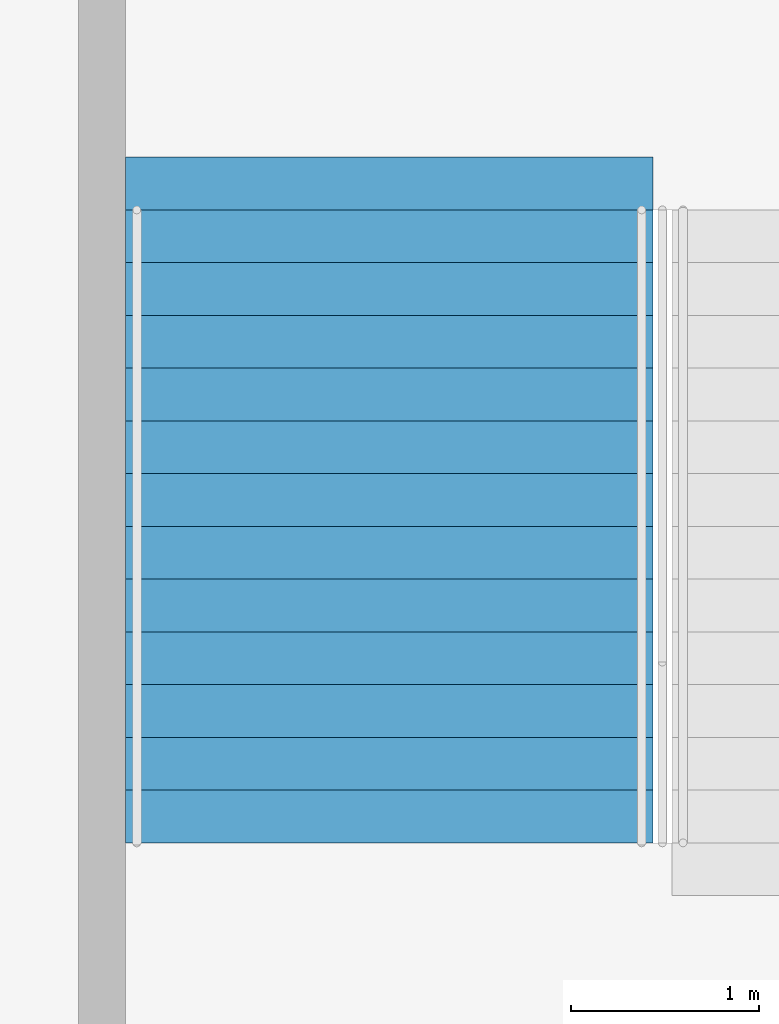
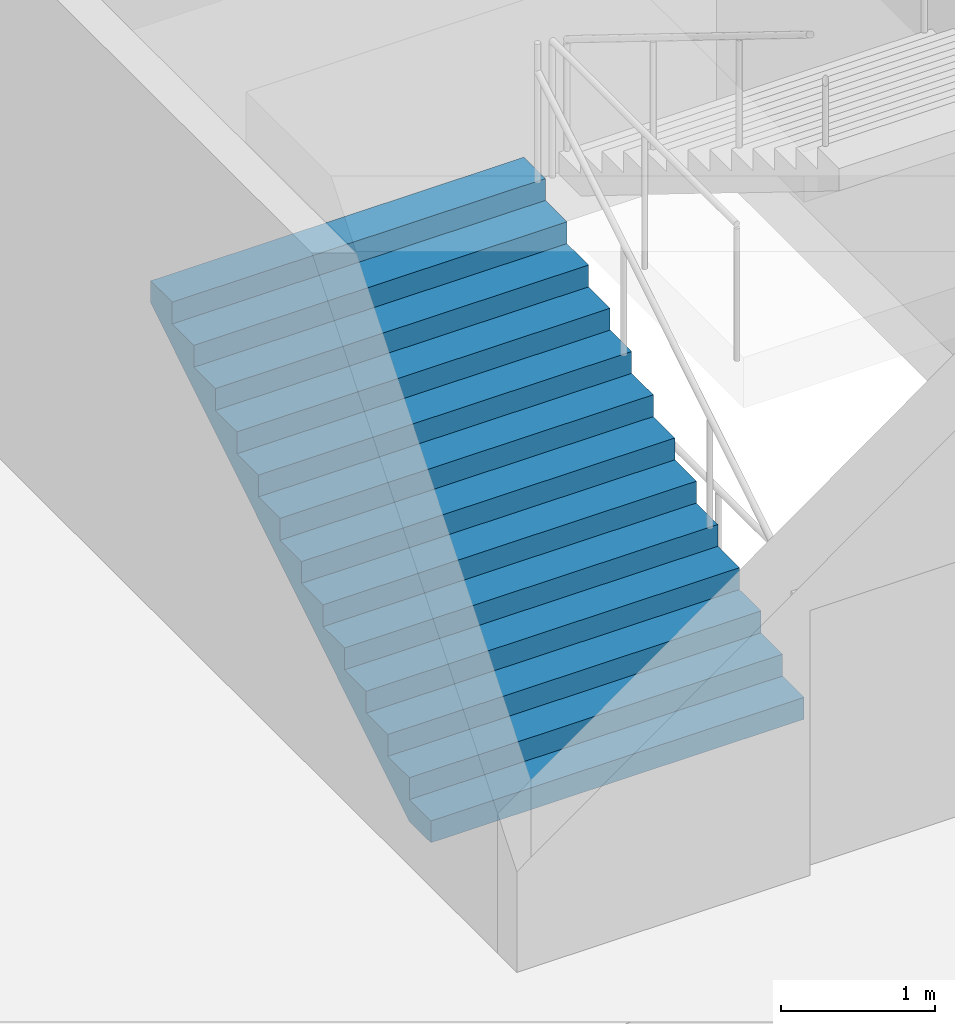
# One storey, part 215 of 249: 1 stair flight, 1 element without a shape of its own.
"""IFC4 building model written with IfcOpenShell, lengths in metres."""

from ifc_helpers import new_model, si_unit, direction, frame, origin, place, context, subcontext, project, spatial, faceted_brep, material, type_object, element, aggregate, save


model = new_model("IFC4")

# Units and contexts
model_context = context("Model", 3, precision=1e-05, world=origin(), true_north=direction((0.0, 1.0)))
body_context = subcontext(model_context, "Body", "Model", "MODEL_VIEW")
ifc_project = project(units=[si_unit("LENGTHUNIT", "METRE"), si_unit("AREAUNIT", "SQUARE_METRE"), si_unit("VOLUMEUNIT", "CUBIC_METRE"), si_unit("PLANEANGLEUNIT", "RADIAN"), si_unit("MASSUNIT", "GRAM", prefix="KILO")], contexts=[model_context])

# Site, building, storey
site_placement = place(None, origin())
site = spatial("IfcSite", under=ifc_project, at=site_placement, CompositionType="ELEMENT")
building_placement = place(site_placement, origin())
building = spatial("IfcBuilding", under=site, at=building_placement, Name="Ogive Plaza Stadium", CompositionType="ELEMENT")
storey_placement = place(building_placement, frame((0.0, 0.0, 13.5)))
storey = spatial("IfcBuildingStorey", under=building, at=storey_placement, Name="L03", CompositionType="ELEMENT", Elevation=13.5)

# Stair, stair flight
ifc_material_1 = material(Name="Concrete C40/50", Category="concrete")
stair_type = type_object("IfcStairType", Name="Exit stair", PredefinedType="STRAIGHT_RUN_STAIR", material=ifc_material_1)
stair_placement = place(storey_placement, origin())
stair = element("IfcStair", 1, at=stair_placement, inside=storey, type_object=stair_type, Name="Exit stair ST36B L03 to L04", PredefinedType="STRAIGHT_RUN_STAIR")
ifc_material_2 = material(Name="Concrete C40/50", Category="concrete")
stair_flight_type = type_object("IfcStairFlightType", Name="Exit stair flight", PredefinedType="STRAIGHT", material=ifc_material_2)
stair_flight_placement = place(storey_placement, frame((15.97509765625, 94.85009765625, 0.0), z_axis=(0.0, 0.0, 1.0), x_axis=(0.0, 1.0, 0.0)))
stair_flight = element("IfcStairFlight", 2, at=stair_flight_placement, type_object=stair_flight_type, Name="ST36B flight 1", NumberOfRisers=13, NumberOfTreads=12, PredefinedType="STRAIGHT", RiserHeight=0.173076923, TreadLength=0.28, context=body_context, shape_type="Brep", body=[
    faceted_brep([(0.28515625, -1.39990234375, 0.0), (3.639892578125, -1.39990234375, 2.07373046875), (3.639892578125, -1.39990234375, 2.25), (3.360107421875, -1.39990234375, 2.25), (3.360107421875, -1.39990234375, 2.076904296875), (3.080078125, -1.39990234375, 2.076904296875), (3.080078125, -1.39990234375, 1.90380859375), (2.800048828125, -1.39990234375, 1.90380859375), (2.800048828125, -1.39990234375, 1.730712890625), (2.52001953125, -1.39990234375, 1.730712890625), (2.52001953125, -1.39990234375, 1.5576171875), (2.239990234375, -1.39990234375, 1.5576171875), (2.239990234375, -1.39990234375, 1.384521484375), (1.9599609375, -1.39990234375, 1.384521484375), (1.9599609375, -1.39990234375, 1.21142578125), (1.679931640625, -1.39990234375, 1.21142578125), (1.679931640625, -1.39990234375, 1.03857421875), (1.39990234375, -1.39990234375, 1.03857421875), (1.39990234375, -1.39990234375, 0.865478515625), (1.1201171875, -1.39990234375, 0.865478515625), (1.1201171875, -1.39990234375, 0.6923828125), (0.840087890625, -1.39990234375, 0.6923828125), (0.840087890625, -1.39990234375, 0.519287109375), (0.56005859375, -1.39990234375, 0.519287109375), (0.56005859375, -1.39990234375, 0.34619140625), (0.280029296875, -1.39990234375, 0.34619140625), (0.280029296875, -1.39990234375, 0.173095703125), (0.0, -1.39990234375, 0.173095703125), (0.0, -1.39990234375, 0.0), (0.0, 1.39990234375, 0.0), (0.0, 1.39990234375, 0.173095703125), (0.280029296875, 1.39990234375, 0.173095703125), (0.280029296875, 1.39990234375, 0.34619140625), (0.56005859375, 1.39990234375, 0.34619140625), (0.56005859375, 1.39990234375, 0.519287109375), (0.840087890625, 1.39990234375, 0.519287109375), (0.840087890625, 1.39990234375, 0.6923828125), (1.1201171875, 1.39990234375, 0.6923828125), (1.1201171875, 1.39990234375, 0.865478515625), (1.39990234375, 1.39990234375, 0.865478515625), (1.39990234375, 1.39990234375, 1.03857421875), (1.679931640625, 1.39990234375, 1.03857421875), (1.679931640625, 1.39990234375, 1.21142578125), (1.9599609375, 1.39990234375, 1.21142578125), (1.9599609375, 1.39990234375, 1.384521484375), (2.239990234375, 1.39990234375, 1.384521484375), (2.239990234375, 1.39990234375, 1.5576171875), (2.52001953125, 1.39990234375, 1.5576171875), (2.52001953125, 1.39990234375, 1.730712890625), (2.800048828125, 1.39990234375, 1.730712890625), (2.800048828125, 1.39990234375, 1.90380859375), (3.080078125, 1.39990234375, 1.90380859375), (3.080078125, 1.39990234375, 2.076904296875), (3.360107421875, 1.39990234375, 2.076904296875), (3.360107421875, 1.39990234375, 2.25), (3.639892578125, 1.39990234375, 2.25), (3.639892578125, 1.39990234375, 2.07373046875), (0.28515625, 1.39990234375, 0.0), (0.28515625, -1.0888671875, 0.0), (3.639892578125, -1.0888671875, 2.07373046875), (0.28515625, -0.77783203125, 0.0), (3.639892578125, -0.77783203125, 2.07373046875), (0.28515625, -0.466796875, 0.0), (3.639892578125, -0.466796875, 2.07373046875), (0.28515625, -0.155517578125, 0.0), (3.639892578125, -0.155517578125, 2.07373046875), (0.28515625, 0.155517578125, 0.0), (3.639892578125, 0.155517578125, 2.07373046875), (0.28515625, 0.466796875, 0.0), (3.639892578125, 0.466796875, 2.07373046875), (0.28515625, 0.77783203125, 0.0), (3.639892578125, 0.77783203125, 2.07373046875), (0.28515625, 1.0888671875, 0.0), (3.639892578125, 1.0888671875, 2.07373046875), (3.639892578125, -1.0888671875, 2.25), (3.639892578125, -0.77783203125, 2.25), (3.639892578125, -0.466796875, 2.25), (3.639892578125, -0.155517578125, 2.25), (3.639892578125, 0.155517578125, 2.25), (3.639892578125, 0.466796875, 2.25), (3.639892578125, 0.77783203125, 2.25), (3.639892578125, 1.0888671875, 2.25), (3.360107421875, -1.0888671875, 2.25), (3.360107421875, -0.77783203125, 2.25), (3.360107421875, -0.466796875, 2.25), (3.360107421875, -0.155517578125, 2.25), (3.360107421875, 0.155517578125, 2.25), (3.360107421875, 0.466796875, 2.25), (3.360107421875, 0.77783203125, 2.25), (3.360107421875, 1.0888671875, 2.25), (3.360107421875, -1.0888671875, 2.076904296875), (3.360107421875, -0.77783203125, 2.076904296875), (3.360107421875, -0.466796875, 2.076904296875), (3.360107421875, -0.155517578125, 2.076904296875), (3.360107421875, 0.155517578125, 2.076904296875), (3.360107421875, 0.466796875, 2.076904296875), (3.360107421875, 0.77783203125, 2.076904296875), (3.360107421875, 1.0888671875, 2.076904296875), (3.080078125, -1.0888671875, 2.076904296875), (3.080078125, -0.77783203125, 2.076904296875), (3.080078125, -0.466796875, 2.076904296875), (3.080078125, -0.155517578125, 2.076904296875), (3.080078125, 0.155517578125, 2.076904296875), (3.080078125, 0.466796875, 2.076904296875), (3.080078125, 0.77783203125, 2.076904296875), (3.080078125, 1.0888671875, 2.076904296875), (3.080078125, -1.0888671875, 1.90380859375), (3.080078125, -0.77783203125, 1.90380859375), (3.080078125, -0.466796875, 1.90380859375), (3.080078125, -0.155517578125, 1.90380859375), (3.080078125, 0.155517578125, 1.90380859375), (3.080078125, 0.466796875, 1.90380859375), (3.080078125, 0.77783203125, 1.90380859375), (3.080078125, 1.0888671875, 1.90380859375), (2.800048828125, -1.0888671875, 1.90380859375), (2.800048828125, -0.77783203125, 1.90380859375), (2.800048828125, -0.466796875, 1.90380859375), (2.800048828125, -0.155517578125, 1.90380859375), (2.800048828125, 0.155517578125, 1.90380859375), (2.800048828125, 0.466796875, 1.90380859375), (2.800048828125, 0.77783203125, 1.90380859375), (2.800048828125, 1.0888671875, 1.90380859375), (2.800048828125, -1.0888671875, 1.730712890625), (2.800048828125, -0.77783203125, 1.730712890625), (2.800048828125, -0.466796875, 1.730712890625), (2.800048828125, -0.155517578125, 1.730712890625), (2.800048828125, 0.155517578125, 1.730712890625), (2.800048828125, 0.466796875, 1.730712890625), (2.800048828125, 0.77783203125, 1.730712890625), (2.800048828125, 1.0888671875, 1.730712890625), (2.52001953125, -1.0888671875, 1.730712890625), (2.52001953125, -0.77783203125, 1.730712890625), (2.52001953125, -0.466796875, 1.730712890625), (2.52001953125, -0.155517578125, 1.730712890625), (2.52001953125, 0.155517578125, 1.730712890625), (2.52001953125, 0.466796875, 1.730712890625), (2.52001953125, 0.77783203125, 1.730712890625), (2.52001953125, 1.0888671875, 1.730712890625), (2.52001953125, -1.0888671875, 1.5576171875), (2.52001953125, -0.77783203125, 1.5576171875), (2.52001953125, -0.466796875, 1.5576171875), (2.52001953125, -0.155517578125, 1.5576171875), (2.52001953125, 0.155517578125, 1.5576171875), (2.52001953125, 0.466796875, 1.5576171875), (2.52001953125, 0.77783203125, 1.5576171875), (2.52001953125, 1.0888671875, 1.5576171875), (2.239990234375, -1.0888671875, 1.5576171875), (2.239990234375, -0.77783203125, 1.5576171875), (2.239990234375, -0.466796875, 1.5576171875), (2.239990234375, -0.155517578125, 1.5576171875), (2.239990234375, 0.155517578125, 1.5576171875), (2.239990234375, 0.466796875, 1.5576171875), (2.239990234375, 0.77783203125, 1.5576171875), (2.239990234375, 1.0888671875, 1.5576171875), (2.239990234375, -1.0888671875, 1.384521484375), (2.239990234375, -0.77783203125, 1.384521484375), (2.239990234375, -0.466796875, 1.384521484375), (2.239990234375, -0.155517578125, 1.384521484375), (2.239990234375, 0.155517578125, 1.384521484375), (2.239990234375, 0.466796875, 1.384521484375), (2.239990234375, 0.77783203125, 1.384521484375), (2.239990234375, 1.0888671875, 1.384521484375), (1.9599609375, -1.0888671875, 1.384521484375), (1.9599609375, -0.77783203125, 1.384521484375), (1.9599609375, -0.466796875, 1.384521484375), (1.9599609375, -0.155517578125, 1.384521484375), (1.9599609375, 0.155517578125, 1.384521484375), (1.9599609375, 0.466796875, 1.384521484375), (1.9599609375, 0.77783203125, 1.384521484375), (1.9599609375, 1.0888671875, 1.384521484375), (1.9599609375, -1.0888671875, 1.21142578125), (1.9599609375, -0.77783203125, 1.21142578125), (1.9599609375, -0.466796875, 1.21142578125), (1.9599609375, -0.155517578125, 1.21142578125), (1.9599609375, 0.155517578125, 1.21142578125), (1.9599609375, 0.466796875, 1.21142578125), (1.9599609375, 0.77783203125, 1.21142578125), (1.9599609375, 1.0888671875, 1.21142578125), (1.679931640625, -1.0888671875, 1.21142578125), (1.679931640625, -0.77783203125, 1.21142578125), (1.679931640625, -0.466796875, 1.21142578125), (1.679931640625, -0.155517578125, 1.21142578125), (1.679931640625, 0.155517578125, 1.21142578125), (1.679931640625, 0.466796875, 1.21142578125), (1.679931640625, 0.77783203125, 1.21142578125), (1.679931640625, 1.0888671875, 1.21142578125), (1.679931640625, -1.0888671875, 1.03857421875), (1.679931640625, -0.77783203125, 1.03857421875), (1.679931640625, -0.466796875, 1.03857421875), (1.679931640625, -0.155517578125, 1.03857421875), (1.679931640625, 0.155517578125, 1.03857421875), (1.679931640625, 0.466796875, 1.03857421875), (1.679931640625, 0.77783203125, 1.03857421875), (1.679931640625, 1.0888671875, 1.03857421875), (1.39990234375, -1.0888671875, 1.03857421875), (1.39990234375, -0.77783203125, 1.03857421875), (1.39990234375, -0.466796875, 1.03857421875), (1.39990234375, -0.155517578125, 1.03857421875), (1.39990234375, 0.155517578125, 1.03857421875), (1.39990234375, 0.466796875, 1.03857421875), (1.39990234375, 0.77783203125, 1.03857421875), (1.39990234375, 1.0888671875, 1.03857421875), (1.39990234375, -1.0888671875, 0.865478515625), (1.39990234375, -0.77783203125, 0.865478515625), (1.39990234375, -0.466796875, 0.865478515625), (1.39990234375, -0.155517578125, 0.865478515625), (1.39990234375, 0.155517578125, 0.865478515625), (1.39990234375, 0.466796875, 0.865478515625), (1.39990234375, 0.77783203125, 0.865478515625), (1.39990234375, 1.0888671875, 0.865478515625), (1.1201171875, -1.0888671875, 0.865478515625), (1.1201171875, -0.77783203125, 0.865478515625), (1.1201171875, -0.466796875, 0.865478515625), (1.1201171875, -0.155517578125, 0.865478515625), (1.1201171875, 0.155517578125, 0.865478515625), (1.1201171875, 0.466796875, 0.865478515625), (1.1201171875, 0.77783203125, 0.865478515625), (1.1201171875, 1.0888671875, 0.865478515625), (1.1201171875, -1.0888671875, 0.6923828125), (1.1201171875, -0.77783203125, 0.6923828125), (1.1201171875, -0.466796875, 0.6923828125), (1.1201171875, -0.155517578125, 0.6923828125), (1.1201171875, 0.155517578125, 0.6923828125), (1.1201171875, 0.466796875, 0.6923828125), (1.1201171875, 0.77783203125, 0.6923828125), (1.1201171875, 1.0888671875, 0.6923828125), (0.840087890625, -1.0888671875, 0.6923828125), (0.840087890625, -0.77783203125, 0.6923828125), (0.840087890625, -0.466796875, 0.6923828125), (0.840087890625, -0.155517578125, 0.6923828125), (0.840087890625, 0.155517578125, 0.6923828125), (0.840087890625, 0.466796875, 0.6923828125), (0.840087890625, 0.77783203125, 0.6923828125), (0.840087890625, 1.0888671875, 0.6923828125), (0.840087890625, -1.0888671875, 0.519287109375), (0.840087890625, -0.77783203125, 0.519287109375), (0.840087890625, -0.466796875, 0.519287109375), (0.840087890625, -0.155517578125, 0.519287109375), (0.840087890625, 0.155517578125, 0.519287109375), (0.840087890625, 0.466796875, 0.519287109375), (0.840087890625, 0.77783203125, 0.519287109375), (0.840087890625, 1.0888671875, 0.519287109375), (0.56005859375, -1.0888671875, 0.519287109375), (0.56005859375, -0.77783203125, 0.519287109375), (0.56005859375, -0.466796875, 0.519287109375), (0.56005859375, -0.155517578125, 0.519287109375), (0.56005859375, 0.155517578125, 0.519287109375), (0.56005859375, 0.466796875, 0.519287109375), (0.56005859375, 0.77783203125, 0.519287109375), (0.56005859375, 1.0888671875, 0.519287109375), (0.56005859375, -1.0888671875, 0.34619140625), (0.56005859375, -0.77783203125, 0.34619140625), (0.56005859375, -0.466796875, 0.34619140625), (0.56005859375, -0.155517578125, 0.34619140625), (0.56005859375, 0.155517578125, 0.34619140625), (0.56005859375, 0.466796875, 0.34619140625), (0.56005859375, 0.77783203125, 0.34619140625), (0.56005859375, 1.0888671875, 0.34619140625), (0.280029296875, -1.0888671875, 0.34619140625), (0.280029296875, -0.77783203125, 0.34619140625), (0.280029296875, -0.466796875, 0.34619140625), (0.280029296875, -0.155517578125, 0.34619140625), (0.280029296875, 0.155517578125, 0.34619140625), (0.280029296875, 0.466796875, 0.34619140625), (0.280029296875, 0.77783203125, 0.34619140625), (0.280029296875, 1.0888671875, 0.34619140625), (0.280029296875, -1.0888671875, 0.173095703125), (0.280029296875, -0.77783203125, 0.173095703125), (0.280029296875, -0.466796875, 0.173095703125), (0.280029296875, -0.155517578125, 0.173095703125), (0.280029296875, 0.155517578125, 0.173095703125), (0.280029296875, 0.466796875, 0.173095703125), (0.280029296875, 0.77783203125, 0.173095703125), (0.280029296875, 1.0888671875, 0.173095703125), (0.0, -1.0888671875, 0.173095703125), (0.0, -0.77783203125, 0.173095703125), (0.0, -0.466796875, 0.173095703125), (0.0, -0.155517578125, 0.173095703125), (0.0, 0.155517578125, 0.173095703125), (0.0, 0.466796875, 0.173095703125), (0.0, 0.77783203125, 0.173095703125), (0.0, 1.0888671875, 0.173095703125), (0.0, -1.0888671875, 0.0), (0.0, -0.77783203125, 0.0), (0.0, -0.466796875, 0.0), (0.0, -0.155517578125, 0.0), (0.0, 0.155517578125, 0.0), (0.0, 0.466796875, 0.0), (0.0, 0.77783203125, 0.0), (0.0, 1.0888671875, 0.0)], [[[0, 1, 2, 3, 4, 5, 6, 7, 8, 9, 10, 11, 12, 13, 14, 15, 16, 17, 18, 19, 20, 21, 22, 23, 24, 25, 26, 27, 28]], [[29, 30, 31, 32, 33, 34, 35, 36, 37, 38, 39, 40, 41, 42, 43, 44, 45, 46, 47, 48, 49, 50, 51, 52, 53, 54, 55, 56, 57]], [[0, 58, 59, 1]], [[58, 60, 61, 59]], [[60, 62, 63, 61]], [[62, 64, 65, 63]], [[64, 66, 67, 65]], [[66, 68, 69, 67]], [[68, 70, 71, 69]], [[70, 72, 73, 71]], [[72, 57, 56, 73]], [[1, 59, 74, 2]], [[59, 61, 75, 74]], [[61, 63, 76, 75]], [[63, 65, 77, 76]], [[65, 67, 78, 77]], [[67, 69, 79, 78]], [[69, 71, 80, 79]], [[71, 73, 81, 80]], [[73, 56, 55, 81]], [[2, 74, 82, 3]], [[74, 75, 83, 82]], [[75, 76, 84, 83]], [[76, 77, 85, 84]], [[77, 78, 86, 85]], [[78, 79, 87, 86]], [[79, 80, 88, 87]], [[80, 81, 89, 88]], [[81, 55, 54, 89]], [[3, 82, 90, 4]], [[82, 83, 91, 90]], [[83, 84, 92, 91]], [[84, 85, 93, 92]], [[85, 86, 94, 93]], [[86, 87, 95, 94]], [[87, 88, 96, 95]], [[88, 89, 97, 96]], [[89, 54, 53, 97]], [[4, 90, 98, 5]], [[90, 91, 99, 98]], [[91, 92, 100, 99]], [[92, 93, 101, 100]], [[93, 94, 102, 101]], [[94, 95, 103, 102]], [[95, 96, 104, 103]], [[96, 97, 105, 104]], [[97, 53, 52, 105]], [[5, 98, 106, 6]], [[98, 99, 107, 106]], [[99, 100, 108, 107]], [[100, 101, 109, 108]], [[101, 102, 110, 109]], [[102, 103, 111, 110]], [[103, 104, 112, 111]], [[104, 105, 113, 112]], [[105, 52, 51, 113]], [[6, 106, 114, 7]], [[106, 107, 115, 114]], [[107, 108, 116, 115]], [[108, 109, 117, 116]], [[109, 110, 118, 117]], [[110, 111, 119, 118]], [[111, 112, 120, 119]], [[112, 113, 121, 120]], [[113, 51, 50, 121]], [[7, 114, 122, 8]], [[114, 115, 123, 122]], [[115, 116, 124, 123]], [[116, 117, 125, 124]], [[117, 118, 126, 125]], [[118, 119, 127, 126]], [[119, 120, 128, 127]], [[120, 121, 129, 128]], [[121, 50, 49, 129]], [[8, 122, 130, 9]], [[122, 123, 131, 130]], [[123, 124, 132, 131]], [[124, 125, 133, 132]], [[125, 126, 134, 133]], [[126, 127, 135, 134]], [[127, 128, 136, 135]], [[128, 129, 137, 136]], [[129, 49, 48, 137]], [[9, 130, 138, 10]], [[130, 131, 139, 138]], [[131, 132, 140, 139]], [[132, 133, 141, 140]], [[133, 134, 142, 141]], [[134, 135, 143, 142]], [[135, 136, 144, 143]], [[136, 137, 145, 144]], [[137, 48, 47, 145]], [[10, 138, 146, 11]], [[138, 139, 147, 146]], [[139, 140, 148, 147]], [[140, 141, 149, 148]], [[141, 142, 150, 149]], [[142, 143, 151, 150]], [[143, 144, 152, 151]], [[144, 145, 153, 152]], [[145, 47, 46, 153]], [[11, 146, 154, 12]], [[146, 147, 155, 154]], [[147, 148, 156, 155]], [[148, 149, 157, 156]], [[149, 150, 158, 157]], [[150, 151, 159, 158]], [[151, 152, 160, 159]], [[152, 153, 161, 160]], [[153, 46, 45, 161]], [[12, 154, 162, 13]], [[154, 155, 163, 162]], [[155, 156, 164, 163]], [[156, 157, 165, 164]], [[157, 158, 166, 165]], [[158, 159, 167, 166]], [[159, 160, 168, 167]], [[160, 161, 169, 168]], [[161, 45, 44, 169]], [[13, 162, 170, 14]], [[162, 163, 171, 170]], [[163, 164, 172, 171]], [[164, 165, 173, 172]], [[165, 166, 174, 173]], [[166, 167, 175, 174]], [[167, 168, 176, 175]], [[168, 169, 177, 176]], [[169, 44, 43, 177]], [[14, 170, 178, 15]], [[170, 171, 179, 178]], [[171, 172, 180, 179]], [[172, 173, 181, 180]], [[173, 174, 182, 181]], [[174, 175, 183, 182]], [[175, 176, 184, 183]], [[176, 177, 185, 184]], [[177, 43, 42, 185]], [[15, 178, 186, 16]], [[178, 179, 187, 186]], [[179, 180, 188, 187]], [[180, 181, 189, 188]], [[181, 182, 190, 189]], [[182, 183, 191, 190]], [[183, 184, 192, 191]], [[184, 185, 193, 192]], [[185, 42, 41, 193]], [[16, 186, 194, 17]], [[186, 187, 195, 194]], [[187, 188, 196, 195]], [[188, 189, 197, 196]], [[189, 190, 198, 197]], [[190, 191, 199, 198]], [[191, 192, 200, 199]], [[192, 193, 201, 200]], [[193, 41, 40, 201]], [[17, 194, 202, 18]], [[194, 195, 203, 202]], [[195, 196, 204, 203]], [[196, 197, 205, 204]], [[197, 198, 206, 205]], [[198, 199, 207, 206]], [[199, 200, 208, 207]], [[200, 201, 209, 208]], [[201, 40, 39, 209]], [[18, 202, 210, 19]], [[202, 203, 211, 210]], [[203, 204, 212, 211]], [[204, 205, 213, 212]], [[205, 206, 214, 213]], [[206, 207, 215, 214]], [[207, 208, 216, 215]], [[208, 209, 217, 216]], [[209, 39, 38, 217]], [[19, 210, 218, 20]], [[210, 211, 219, 218]], [[211, 212, 220, 219]], [[212, 213, 221, 220]], [[213, 214, 222, 221]], [[214, 215, 223, 222]], [[215, 216, 224, 223]], [[216, 217, 225, 224]], [[217, 38, 37, 225]], [[20, 218, 226, 21]], [[218, 219, 227, 226]], [[219, 220, 228, 227]], [[220, 221, 229, 228]], [[221, 222, 230, 229]], [[222, 223, 231, 230]], [[223, 224, 232, 231]], [[224, 225, 233, 232]], [[225, 37, 36, 233]], [[21, 226, 234, 22]], [[226, 227, 235, 234]], [[227, 228, 236, 235]], [[228, 229, 237, 236]], [[229, 230, 238, 237]], [[230, 231, 239, 238]], [[231, 232, 240, 239]], [[232, 233, 241, 240]], [[233, 36, 35, 241]], [[22, 234, 242, 23]], [[234, 235, 243, 242]], [[235, 236, 244, 243]], [[236, 237, 245, 244]], [[237, 238, 246, 245]], [[238, 239, 247, 246]], [[239, 240, 248, 247]], [[240, 241, 249, 248]], [[241, 35, 34, 249]], [[23, 242, 250, 24]], [[242, 243, 251, 250]], [[243, 244, 252, 251]], [[244, 245, 253, 252]], [[245, 246, 254, 253]], [[246, 247, 255, 254]], [[247, 248, 256, 255]], [[248, 249, 257, 256]], [[249, 34, 33, 257]], [[24, 250, 258, 25]], [[250, 251, 259, 258]], [[251, 252, 260, 259]], [[252, 253, 261, 260]], [[253, 254, 262, 261]], [[254, 255, 263, 262]], [[255, 256, 264, 263]], [[256, 257, 265, 264]], [[257, 33, 32, 265]], [[25, 258, 266, 26]], [[258, 259, 267, 266]], [[259, 260, 268, 267]], [[260, 261, 269, 268]], [[261, 262, 270, 269]], [[262, 263, 271, 270]], [[263, 264, 272, 271]], [[264, 265, 273, 272]], [[265, 32, 31, 273]], [[26, 266, 274, 27]], [[266, 267, 275, 274]], [[267, 268, 276, 275]], [[268, 269, 277, 276]], [[269, 270, 278, 277]], [[270, 271, 279, 278]], [[271, 272, 280, 279]], [[272, 273, 281, 280]], [[273, 31, 30, 281]], [[27, 274, 282, 28]], [[274, 275, 283, 282]], [[275, 276, 284, 283]], [[276, 277, 285, 284]], [[277, 278, 286, 285]], [[278, 279, 287, 286]], [[279, 280, 288, 287]], [[280, 281, 289, 288]], [[281, 30, 29, 289]], [[28, 282, 58, 0]], [[282, 283, 60, 58]], [[283, 284, 62, 60]], [[284, 285, 64, 62]], [[285, 286, 66, 64]], [[286, 287, 68, 66]], [[287, 288, 70, 68]], [[288, 289, 72, 70]], [[289, 29, 57, 72]]]),
])
aggregate(stair, [stair_flight])

save(model, "model.ifc")
